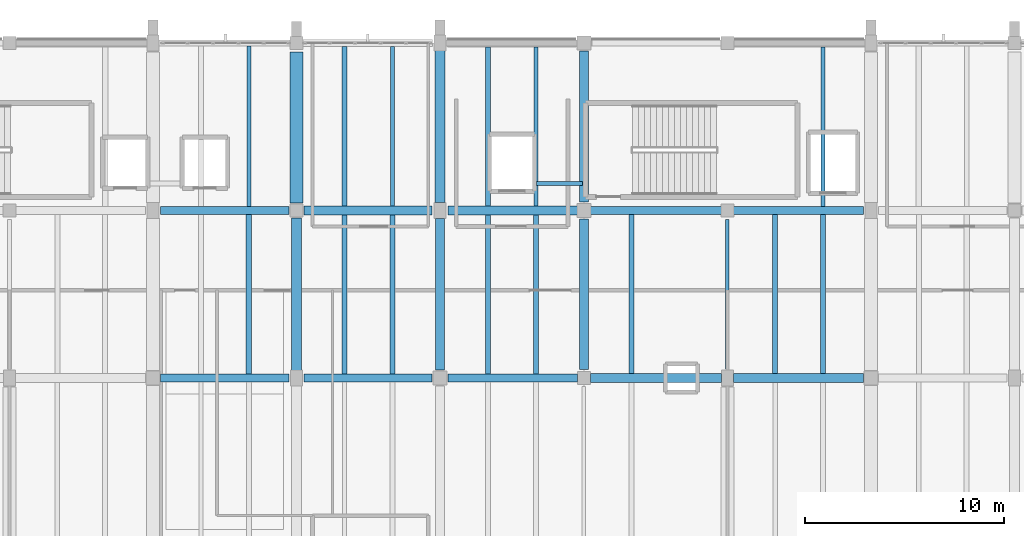
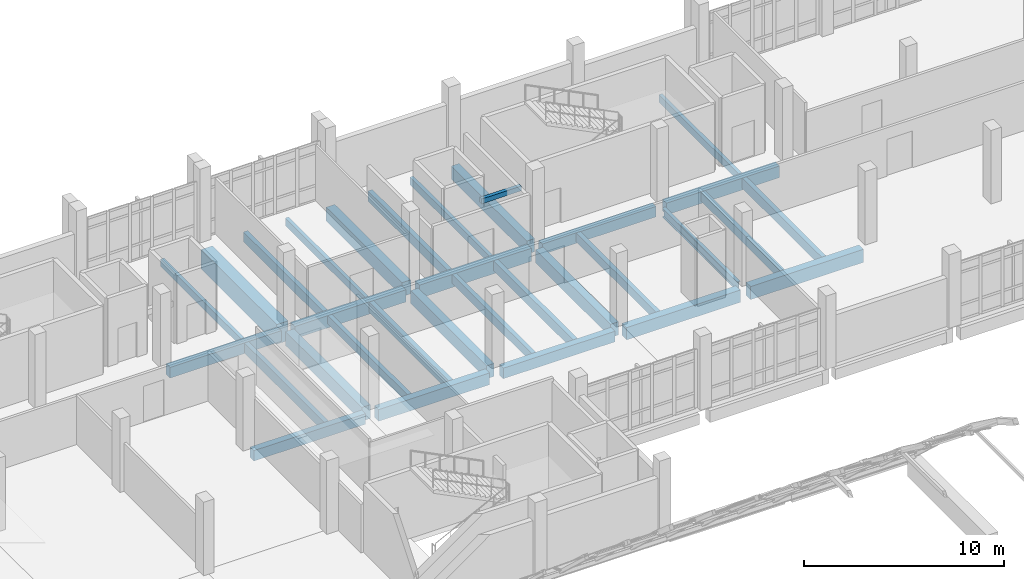
# One storey, part 45 of 87: 32 beams.
"""IFC4 building model written with IfcOpenShell, lengths in metres."""

from ifc_helpers import new_model, si_unit, direction, frame, origin, origin_2d, place, context, subcontext, project, spatial, rectangle, i_section, extrude, material, material_profile, profile_set, type_object, element, save


model = new_model("IFC4")

# Units and contexts
model_context = context("Model", 3, precision=1e-05, world=origin(), true_north=direction((0.0, 1.0)))
body_context = subcontext(model_context, "Body", "Model", "MODEL_VIEW")
ifc_project = project(units=[si_unit("LENGTHUNIT", "METRE"), si_unit("AREAUNIT", "SQUARE_METRE"), si_unit("VOLUMEUNIT", "CUBIC_METRE"), si_unit("PLANEANGLEUNIT", "RADIAN"), si_unit("MASSUNIT", "GRAM", prefix="KILO")], contexts=[model_context])

# Site, building, storey
site_placement = place(None, origin())
site = spatial("IfcSite", under=ifc_project, at=site_placement, CompositionType="ELEMENT")
building_placement = place(site_placement, origin())
building = spatial("IfcBuilding", under=site, at=building_placement, Name="Kalluvel Institute of Natural Sciences", CompositionType="ELEMENT")
storey_placement = place(building_placement, frame((0.0, 0.0, 18.89990234375)))
storey = spatial("IfcBuildingStorey", under=building, at=storey_placement, Name="L04", CompositionType="ELEMENT", Elevation=18.89990234375)

# Beams
ifc_material_1 = material(Name="Steel E350 Grade 350", Category="steel")
ifc_material_profile_1 = material_profile(ifc_material_1, i_section(OverallWidth=0.18994140625, OverallDepth=0.550048828125, WebThickness=0.01123046875, FlangeThickness=0.019287109375, FilletRadius=0.01806640625, at=origin_2d()), Name="ISMB 550")
ifc_profile_set_1 = profile_set([ifc_material_profile_1], Name="Steel E350 Grade 350")
beam_type_1 = type_object("IfcBeamType", Name="BM-ISMB550", PredefinedType="BEAM", material=ifc_profile_set_1)
beam_1_placement = place(storey_placement, frame((71.60009765625, 111.64990234375, -0.594970703125), z_axis=(0.0, 1.0, 0.0), x_axis=(-1.0, 0.0, 0.0)))
element("IfcBeam", 1, at=beam_1_placement, inside=storey, type_object=beam_type_1, Name="L04 girder GIR-L04-NS-X716-Y1112", PredefinedType="BEAM", context=body_context, shape_type="SweptSolid", body=[
    extrude(i_section(OverallWidth=0.18994140625, OverallDepth=0.550048828125, WebThickness=0.01123046875, FlangeThickness=0.019287109375, FilletRadius=0.01806640625, at=origin_2d()), origin(), (0.0, 0.0, 1.0), 7.5),
])
ifc_material_2 = material(Name="Concrete M40", Category="concrete")
ifc_material_profile_2 = material_profile(ifc_material_2, rectangle(XDim=0.3798828125, YDim=0.639892578125, at=origin_2d()), Name="RCB 380x640")
ifc_profile_set_2 = profile_set([ifc_material_profile_2], Name="Concrete M40")
beam_type_2 = type_object("IfcBeamType", Name="BM-RC380x640", PredefinedType="BEAM", material=ifc_profile_set_2)
beam_2_placement = place(storey_placement, frame((43.175048828125, 111.199951171875, -0.639892578125), z_axis=(1.0, 0.0, 0.0), x_axis=(0.0, 1.0, 0.0)))
element("IfcBeam", 2, at=beam_2_placement, inside=storey, type_object=beam_type_2, Name="L04 girder GIR-L04-EW-X428-Y1112", PredefinedType="BEAM", context=body_context, shape_type="SweptSolid", body=[
    extrude(rectangle(XDim=0.3798828125, YDim=0.639892578125, at=origin_2d()), origin(), (0.0, 0.0, 1.0), 6.449951171875),
])
beam_3_placement = place(storey_placement, frame((64.72509765625, 119.60009765625, -0.639892578125), z_axis=(1.0, 0.0, 0.0), x_axis=(0.0, 1.0, 0.0)))
element("IfcBeam", 3, at=beam_3_placement, inside=storey, type_object=beam_type_2, Name="L04 girder GIR-L04-EW-X644-Y1196", PredefinedType="BEAM", context=body_context, shape_type="SweptSolid", body=[
    extrude(rectangle(XDim=0.3798828125, YDim=0.639892578125, at=origin_2d()), origin(), (0.0, 0.0, 1.0), 6.574951171875),
])
ifc_material_profile_3 = material_profile(ifc_material_2, rectangle(XDim=0.39990234375, YDim=0.64990234375, at=origin_2d()), Name="RCB 400x650")
ifc_profile_set_3 = profile_set([ifc_material_profile_3], Name="Concrete M40")
beam_type_3 = type_object("IfcBeamType", Name="BM-RC400x650", PredefinedType="BEAM", material=ifc_profile_set_3)
beam_4_placement = place(storey_placement, frame((57.60009765625, 111.199951171875, -0.64501953125), z_axis=(1.0, 0.0, 0.0), x_axis=(0.0, 1.0, 0.0)))
element("IfcBeam", 4, at=beam_4_placement, inside=storey, type_object=beam_type_3, Name="L04 girder GIR-L04-EW-X572-Y1112", PredefinedType="BEAM", context=body_context, shape_type="SweptSolid", body=[
    extrude(rectangle(XDim=0.39990234375, YDim=0.64990234375, at=origin_2d()), origin(), (0.0, 0.0, 1.0), 6.474853515625),
])
beam_5_placement = place(storey_placement, frame((43.175048828125, 119.60009765625, -0.64501953125), z_axis=(1.0, 0.0, 0.0), x_axis=(0.0, 1.0, 0.0)))
element("IfcBeam", 5, at=beam_5_placement, inside=storey, type_object=beam_type_3, Name="L04 girder GIR-L04-EW-X428-Y1196", PredefinedType="BEAM", context=body_context, shape_type="SweptSolid", body=[
    extrude(rectangle(XDim=0.39990234375, YDim=0.64990234375, at=origin_2d()), origin(), (0.0, 0.0, 1.0), 6.449951171875),
])
ifc_material_profile_4 = material_profile(ifc_material_2, rectangle(XDim=0.419921875, YDim=0.719970703125, at=origin_2d()), Name="RCB 420x720")
ifc_profile_set_4 = profile_set([ifc_material_profile_4], Name="Concrete M40")
beam_type_4 = type_object("IfcBeamType", Name="BM-RC420x720", PredefinedType="BEAM", material=ifc_profile_set_4)
beam_6_placement = place(storey_placement, frame((50.375, 111.199951171875, -0.679931640625), z_axis=(1.0, 0.0, 0.0), x_axis=(0.0, 1.0, 0.0)))
element("IfcBeam", 6, at=beam_6_placement, inside=storey, type_object=beam_type_4, Name="L04 girder GIR-L04-EW-X500-Y1112", PredefinedType="BEAM", context=body_context, shape_type="SweptSolid", body=[
    extrude(rectangle(XDim=0.419921875, YDim=0.719970703125, at=origin_2d()), origin(), (0.0, 0.0, 1.0), 6.425048828125),
])
beam_7_placement = place(storey_placement, frame((71.89990234375, 119.60009765625, -0.679931640625), z_axis=(1.0, 0.0, 0.0), x_axis=(0.0, 1.0, 0.0)))
element("IfcBeam", 7, at=beam_7_placement, inside=storey, type_object=beam_type_4, Name="L04 girder GIR-L04-EW-X716-Y1196", PredefinedType="BEAM", context=body_context, shape_type="SweptSolid", body=[
    extrude(rectangle(XDim=0.419921875, YDim=0.719970703125, at=origin_2d()), origin(), (0.0, 0.0, 1.0), 6.525146484375),
])
ifc_material_profile_5 = material_profile(ifc_material_2, rectangle(XDim=0.449951171875, YDim=0.75, at=origin_2d()), Name="RCB 450x750")
ifc_profile_set_5 = profile_set([ifc_material_profile_5], Name="Concrete M40")
beam_type_5 = type_object("IfcBeamType", Name="BM-RC450x750", PredefinedType="BEAM", material=ifc_profile_set_5)
beam_8_placement = place(storey_placement, frame((64.72509765625, 111.199951171875, -0.69482421875), z_axis=(1.0, 0.0, 0.0), x_axis=(0.0, 1.0, 0.0)))
element("IfcBeam", 8, at=beam_8_placement, inside=storey, type_object=beam_type_5, Name="L04 girder GIR-L04-EW-X644-Y1112", PredefinedType="BEAM", context=body_context, shape_type="SweptSolid", body=[
    extrude(rectangle(XDim=0.449951171875, YDim=0.75, at=origin_2d()), origin(), (0.0, 0.0, 1.0), 6.574951171875),
])
beam_9_placement = place(storey_placement, frame((50.375, 119.60009765625, -0.69482421875), z_axis=(1.0, 0.0, 0.0), x_axis=(0.0, 1.0, 0.0)))
element("IfcBeam", 9, at=beam_9_placement, inside=storey, type_object=beam_type_5, Name="L04 girder GIR-L04-EW-X500-Y1196", PredefinedType="BEAM", context=body_context, shape_type="SweptSolid", body=[
    extrude(rectangle(XDim=0.449951171875, YDim=0.75, at=origin_2d()), origin(), (0.0, 0.0, 1.0), 6.425048828125),
])
ifc_material_profile_6 = material_profile(ifc_material_2, rectangle(XDim=0.449951171875, YDim=0.800048828125, at=origin_2d()), Name="RCB 450x800")
ifc_profile_set_6 = profile_set([ifc_material_profile_6], Name="Concrete M40")
beam_type_6 = type_object("IfcBeamType", Name="BM-RC450x800", PredefinedType="BEAM", material=ifc_profile_set_6)
beam_10_placement = place(storey_placement, frame((71.89990234375, 111.199951171875, -0.719970703125), z_axis=(1.0, 0.0, 0.0), x_axis=(0.0, 1.0, 0.0)))
element("IfcBeam", 10, at=beam_10_placement, inside=storey, type_object=beam_type_6, Name="L04 girder GIR-L04-EW-X716-Y1112", PredefinedType="BEAM", context=body_context, shape_type="SweptSolid", body=[
    extrude(rectangle(XDim=0.449951171875, YDim=0.800048828125, at=origin_2d()), origin(), (0.0, 0.0, 1.0), 6.525146484375),
])
beam_11_placement = place(storey_placement, frame((57.60009765625, 119.60009765625, -0.719970703125), z_axis=(1.0, 0.0, 0.0), x_axis=(0.0, 1.0, 0.0)))
element("IfcBeam", 11, at=beam_11_placement, inside=storey, type_object=beam_type_6, Name="L04 girder GIR-L04-EW-X572-Y1196", PredefinedType="BEAM", context=body_context, shape_type="SweptSolid", body=[
    extrude(rectangle(XDim=0.449951171875, YDim=0.800048828125, at=origin_2d()), origin(), (0.0, 0.0, 1.0), 6.474853515625),
])
beam_12_placement = place(storey_placement, frame((57.199951171875, 111.60009765625, -0.719970703125), z_axis=(0.0, 1.0, 0.0), x_axis=(-1.0, 0.0, 0.0)))
element("IfcBeam", 12, at=beam_12_placement, inside=storey, type_object=beam_type_6, Name="L04 girder GIR-L04-NS-X572-Y1112", PredefinedType="BEAM", context=body_context, shape_type="SweptSolid", body=[
    extrude(rectangle(XDim=0.449951171875, YDim=0.800048828125, at=origin_2d()), origin(), (0.0, 0.0, 1.0), 7.599853515625),
])
beam_13_placement = place(storey_placement, frame((64.39990234375, 111.625, -0.719970703125), z_axis=(0.0, 1.0, 0.0), x_axis=(-1.0, 0.0, 0.0)))
element("IfcBeam", 13, at=beam_13_placement, inside=storey, type_object=beam_type_6, Name="L04 girder GIR-L04-NS-X644-Y1112", PredefinedType="BEAM", context=body_context, shape_type="SweptSolid", body=[
    extrude(rectangle(XDim=0.449951171875, YDim=0.800048828125, at=origin_2d()), origin(), (0.0, 0.0, 1.0), 7.550048828125),
])
beam_14_placement = place(storey_placement, frame((64.39990234375, 120.02490234375, -0.719970703125), z_axis=(0.0, 1.0, 0.0), x_axis=(-1.0, 0.0, 0.0)))
element("IfcBeam", 14, at=beam_14_placement, inside=storey, type_object=beam_type_6, Name="L04 girder GIR-L04-NS-X644-Y1196", PredefinedType="BEAM", context=body_context, shape_type="SweptSolid", body=[
    extrude(rectangle(XDim=0.449951171875, YDim=0.800048828125, at=origin_2d()), origin(), (0.0, 0.0, 1.0), 7.5751953125),
])
ifc_material_3 = material(Name="Concrete M50", Category="concrete")
ifc_material_profile_7 = material_profile(ifc_material_3, rectangle(XDim=0.5, YDim=0.85009765625, at=origin_2d()), Name="RCB 500x850")
ifc_profile_set_7 = profile_set([ifc_material_profile_7], Name="Concrete M50")
beam_type_7 = type_object("IfcBeamType", Name="BM-RC500x850", PredefinedType="BEAM", material=ifc_profile_set_7)
beam_15_placement = place(storey_placement, frame((50.0, 111.574951171875, -0.744873046875), z_axis=(0.0, 1.0, 0.0), x_axis=(-1.0, 0.0, 0.0)))
element("IfcBeam", 15, at=beam_15_placement, inside=storey, type_object=beam_type_7, Name="L04 girder GIR-L04-NS-X500-Y1112", PredefinedType="BEAM", context=body_context, shape_type="SweptSolid", body=[
    extrude(rectangle(XDim=0.5, YDim=0.85009765625, at=origin_2d()), origin(), (0.0, 0.0, 1.0), 7.650146484375),
])
beam_16_placement = place(storey_placement, frame((57.199951171875, 120.0, -0.744873046875), z_axis=(0.0, 1.0, 0.0), x_axis=(-1.0, 0.0, 0.0)))
element("IfcBeam", 16, at=beam_16_placement, inside=storey, type_object=beam_type_7, Name="L04 girder GIR-L04-NS-X572-Y1196", PredefinedType="BEAM", context=body_context, shape_type="SweptSolid", body=[
    extrude(rectangle(XDim=0.5, YDim=0.85009765625, at=origin_2d()), origin(), (0.0, 0.0, 1.0), 7.625),
])
ifc_material_profile_8 = material_profile(ifc_material_3, rectangle(XDim=0.64990234375, YDim=1.199951171875, at=origin_2d()), Name="RCB 650x1200")
ifc_profile_set_8 = profile_set([ifc_material_profile_8], Name="Concrete M50")
beam_type_8 = type_object("IfcBeamType", Name="BM-RC650x1200", PredefinedType="BEAM", material=ifc_profile_set_8)
beam_17_placement = place(storey_placement, frame((50.0, 119.97509765625, -0.919921875), z_axis=(0.0, 1.0, 0.0), x_axis=(-1.0, 0.0, 0.0)))
element("IfcBeam", 17, at=beam_17_placement, inside=storey, type_object=beam_type_8, Name="L04 girder GIR-L04-NS-X500-Y1196", PredefinedType="BEAM", context=body_context, shape_type="SweptSolid", body=[
    extrude(rectangle(XDim=0.64990234375, YDim=1.199951171875, at=origin_2d()), origin(), (0.0, 0.0, 1.0), 7.574951171875),
])
ifc_material_4 = material(Name="Sadarahalli Granite Precast Concrete M45", Category="masonry")
ifc_material_profile_9 = material_profile(ifc_material_4, rectangle(XDim=0.199951171875, YDim=0.300048828125, at=origin_2d()), Name="LIN 200x300")
ifc_profile_set_9 = profile_set([ifc_material_profile_9], Name="Sadarahalli Granite Precast Concrete M45")
beam_type_9 = type_object("IfcBeamType", Name="LN-200x300-INT", PredefinedType="LINTEL", material=ifc_profile_set_9)
beam_18_placement = place(storey_placement, frame((62.0400390625, 120.949951171875, 2.35009765625), z_axis=(1.0, 0.0, 0.0), x_axis=(0.0, 1.0, 0.0)))
element("IfcBeam", 18, at=beam_18_placement, inside=storey, type_object=beam_type_9, Name="L04 core coupling lintel B", PredefinedType="LINTEL", context=body_context, shape_type="SweptSolid", body=[
    extrude(rectangle(XDim=0.199951171875, YDim=0.300048828125, at=origin_2d()), origin(), (0.0, 0.0, 1.0), 2.2900390625),
])
ifc_material_profile_10 = material_profile(ifc_material_2, rectangle(XDim=0.199951171875, YDim=0.4599609375, at=origin_2d()), Name="WAF 200x460")
ifc_profile_set_10 = profile_set([ifc_material_profile_10], Name="Concrete M40")
beam_type_10 = type_object("IfcBeamType", Name="WJ-200x460", PredefinedType="JOIST", material=ifc_profile_set_10)
beam_19_placement = place(storey_placement, frame((47.60009765625, 119.800048828125, -0.5498046875), z_axis=(0.0, 1.0, 0.0), x_axis=(-1.0, 0.0, 0.0)))
element("IfcBeam", 19, at=beam_19_placement, inside=storey, type_object=beam_type_10, Name="L04 waffle joist RIB-L04-0318", PredefinedType="JOIST", context=body_context, shape_type="SweptSolid", body=[
    extrude(rectangle(XDim=0.199951171875, YDim=0.4599609375, at=origin_2d()), origin(), (0.0, 0.0, 1.0), 8.050048828125),
])
beam_20_placement = place(storey_placement, frame((54.800048828125, 119.824951171875, -0.5498046875), z_axis=(0.0, 1.0, 0.0), x_axis=(-1.0, 0.0, 0.0)))
element("IfcBeam", 20, at=beam_20_placement, inside=storey, type_object=beam_type_10, Name="L04 waffle joist RIB-L04-0324", PredefinedType="JOIST", context=body_context, shape_type="SweptSolid", body=[
    extrude(rectangle(XDim=0.199951171875, YDim=0.4599609375, at=origin_2d()), origin(), (0.0, 0.0, 1.0), 8.0),
])
beam_21_placement = place(storey_placement, frame((62.0, 119.824951171875, -0.5498046875), z_axis=(0.0, 1.0, 0.0), x_axis=(-1.0, 0.0, 0.0)))
element("IfcBeam", 21, at=beam_21_placement, inside=storey, type_object=beam_type_10, Name="L04 waffle joist RIB-L04-0330", PredefinedType="JOIST", context=body_context, shape_type="SweptSolid", body=[
    extrude(rectangle(XDim=0.199951171875, YDim=0.4599609375, at=origin_2d()), origin(), (0.0, 0.0, 1.0), 7.97509765625),
])
beam_22_placement = place(storey_placement, frame((76.39990234375, 119.81005859375, -0.5498046875), z_axis=(0.0, 1.0, 0.0), x_axis=(-1.0, 0.0, 0.0)))
element("IfcBeam", 22, at=beam_22_placement, inside=storey, type_object=beam_type_10, Name="L04 waffle joist RIB-L04-0337", PredefinedType="JOIST", context=body_context, shape_type="SweptSolid", body=[
    extrude(rectangle(XDim=0.199951171875, YDim=0.4599609375, at=origin_2d()), origin(), (0.0, 0.0, 1.0), 7.989990234375),
])
ifc_material_profile_11 = material_profile(ifc_material_2, rectangle(XDim=0.239990234375, YDim=0.52001953125, at=origin_2d()), Name="WAF 240x520")
ifc_profile_set_11 = profile_set([ifc_material_profile_11], Name="Concrete M40")
beam_type_11 = type_object("IfcBeamType", Name="WJ-240x520", PredefinedType="JOIST", material=ifc_profile_set_11)
beam_23_placement = place(storey_placement, frame((52.39990234375, 111.409912109375, -0.579833984375), z_axis=(0.0, 1.0, 0.0), x_axis=(-1.0, 0.0, 0.0)))
element("IfcBeam", 23, at=beam_23_placement, inside=storey, type_object=beam_type_11, Name="L04 waffle joist RIB-L04-0321", PredefinedType="JOIST", context=body_context, shape_type="SweptSolid", body=[
    extrude(rectangle(XDim=0.239990234375, YDim=0.52001953125, at=origin_2d()), origin(), (0.0, 0.0, 1.0), 7.965087890625),
])
ifc_material_profile_12 = material_profile(ifc_material_2, rectangle(XDim=0.25, YDim=0.550048828125, at=origin_2d()), Name="WAF 250x550")
ifc_profile_set_12 = profile_set([ifc_material_profile_12], Name="Concrete M40")
beam_type_12 = type_object("IfcBeamType", Name="WJ-250x550", PredefinedType="JOIST", material=ifc_profile_set_12)
beam_24_placement = place(storey_placement, frame((59.60009765625, 111.39990234375, -0.594970703125), z_axis=(0.0, 1.0, 0.0), x_axis=(-1.0, 0.0, 0.0)))
element("IfcBeam", 24, at=beam_24_placement, inside=storey, type_object=beam_type_12, Name="L04 waffle joist RIB-L04-0327", PredefinedType="JOIST", context=body_context, shape_type="SweptSolid", body=[
    extrude(rectangle(XDim=0.25, YDim=0.550048828125, at=origin_2d()), origin(), (0.0, 0.0, 1.0), 7.97509765625),
])
beam_25_placement = place(storey_placement, frame((66.800048828125, 111.425048828125, -0.594970703125), z_axis=(0.0, 1.0, 0.0), x_axis=(-1.0, 0.0, 0.0)))
element("IfcBeam", 25, at=beam_25_placement, inside=storey, type_object=beam_type_12, Name="L04 waffle joist RIB-L04-0332", PredefinedType="JOIST", context=body_context, shape_type="SweptSolid", body=[
    extrude(rectangle(XDim=0.25, YDim=0.550048828125, at=origin_2d()), origin(), (0.0, 0.0, 1.0), 7.98486328125),
])
beam_26_placement = place(storey_placement, frame((74.0, 111.425048828125, -0.594970703125), z_axis=(0.0, 1.0, 0.0), x_axis=(-1.0, 0.0, 0.0)))
element("IfcBeam", 26, at=beam_26_placement, inside=storey, type_object=beam_type_12, Name="L04 waffle joist RIB-L04-0335", PredefinedType="JOIST", context=body_context, shape_type="SweptSolid", body=[
    extrude(rectangle(XDim=0.25, YDim=0.550048828125, at=origin_2d()), origin(), (0.0, 0.0, 1.0), 7.96484375),
])
ifc_material_profile_13 = material_profile(ifc_material_2, rectangle(XDim=0.25, YDim=0.60009765625, at=origin_2d()), Name="WAF 250x600")
ifc_profile_set_13 = profile_set([ifc_material_profile_13], Name="Concrete M40")
beam_type_13 = type_object("IfcBeamType", Name="WJ-250x600", PredefinedType="JOIST", material=ifc_profile_set_13)
beam_27_placement = place(storey_placement, frame((52.39990234375, 119.824951171875, -0.619873046875), z_axis=(0.0, 1.0, 0.0), x_axis=(-1.0, 0.0, 0.0)))
element("IfcBeam", 27, at=beam_27_placement, inside=storey, type_object=beam_type_13, Name="L04 waffle joist RIB-L04-0323", PredefinedType="JOIST", context=body_context, shape_type="SweptSolid", body=[
    extrude(rectangle(XDim=0.25, YDim=0.60009765625, at=origin_2d()), origin(), (0.0, 0.0, 1.0), 8.0),
])
ifc_material_profile_14 = material_profile(ifc_material_3, rectangle(XDim=0.260009765625, YDim=0.6201171875, at=origin_2d()), Name="WAF 260x620")
ifc_profile_set_14 = profile_set([ifc_material_profile_14], Name="Concrete M50")
beam_type_14 = type_object("IfcBeamType", Name="WJ-260x620", PredefinedType="JOIST", material=ifc_profile_set_14)
beam_28_placement = place(storey_placement, frame((47.60009765625, 111.389892578125, -0.6298828125), z_axis=(0.0, 1.0, 0.0), x_axis=(-1.0, 0.0, 0.0)))
element("IfcBeam", 28, at=beam_28_placement, inside=storey, type_object=beam_type_14, Name="L04 waffle joist RIB-L04-0316", PredefinedType="JOIST", context=body_context, shape_type="SweptSolid", body=[
    extrude(rectangle(XDim=0.260009765625, YDim=0.6201171875, at=origin_2d()), origin(), (0.0, 0.0, 1.0), 8.010009765625),
])
beam_29_placement = place(storey_placement, frame((54.800048828125, 111.409912109375, -0.6298828125), z_axis=(0.0, 1.0, 0.0), x_axis=(-1.0, 0.0, 0.0)))
element("IfcBeam", 29, at=beam_29_placement, inside=storey, type_object=beam_type_14, Name="L04 waffle joist RIB-L04-0322", PredefinedType="JOIST", context=body_context, shape_type="SweptSolid", body=[
    extrude(rectangle(XDim=0.260009765625, YDim=0.6201171875, at=origin_2d()), origin(), (0.0, 0.0, 1.0), 7.965087890625),
])
for number, where, z_axis, x_axis, name in (
    (30, (62.0, 111.39990234375, -0.6298828125), (0.0, 1.0, 0.0), (-1.0, 0.0, 0.0), "L04 waffle joist RIB-L04-0328"),
    (31, (59.60009765625, 119.824951171875, -0.6298828125), (0.0, 1.0, 0.0), (-1.0, 0.0, 0.0), "L04 waffle joist RIB-L04-0329"),
):
    element("IfcBeam", number, at=place(storey_placement, frame(where, z_axis=z_axis, x_axis=x_axis)), inside=storey, type_object=beam_type_14, Name=name, PredefinedType="JOIST", context=body_context, shape_type="SweptSolid", body=[
        extrude(rectangle(XDim=0.260009765625, YDim=0.6201171875, at=origin_2d()), origin(), (0.0, 0.0, 1.0), 7.97509765625),
    ])
beam_30_placement = place(storey_placement, frame((76.39990234375, 111.425048828125, -0.6298828125), z_axis=(0.0, 1.0, 0.0), x_axis=(-1.0, 0.0, 0.0)))
element("IfcBeam", 32, at=beam_30_placement, inside=storey, type_object=beam_type_14, Name="L04 waffle joist RIB-L04-0336", PredefinedType="JOIST", context=body_context, shape_type="SweptSolid", body=[
    extrude(rectangle(XDim=0.260009765625, YDim=0.6201171875, at=origin_2d()), origin(), (0.0, 0.0, 1.0), 7.96484375),
])

save(model, "model.ifc")
